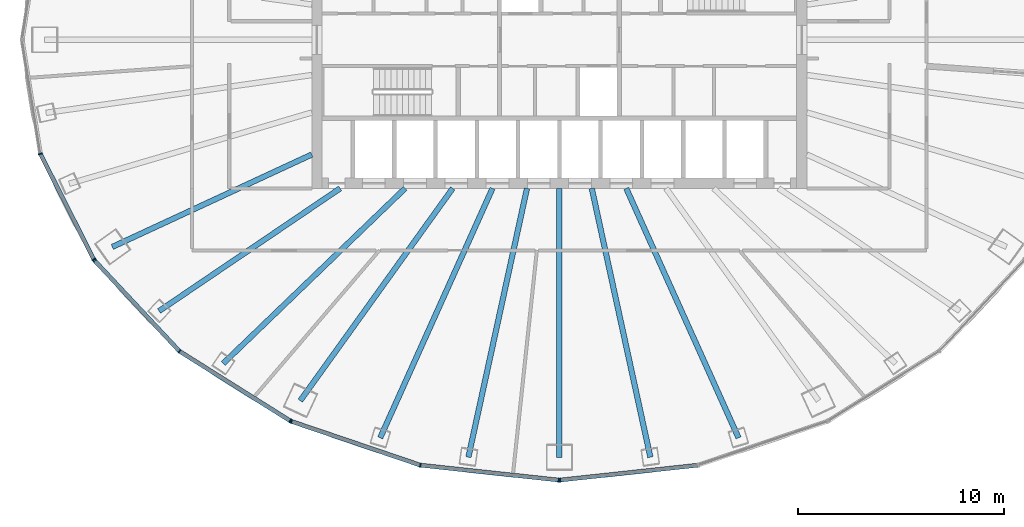
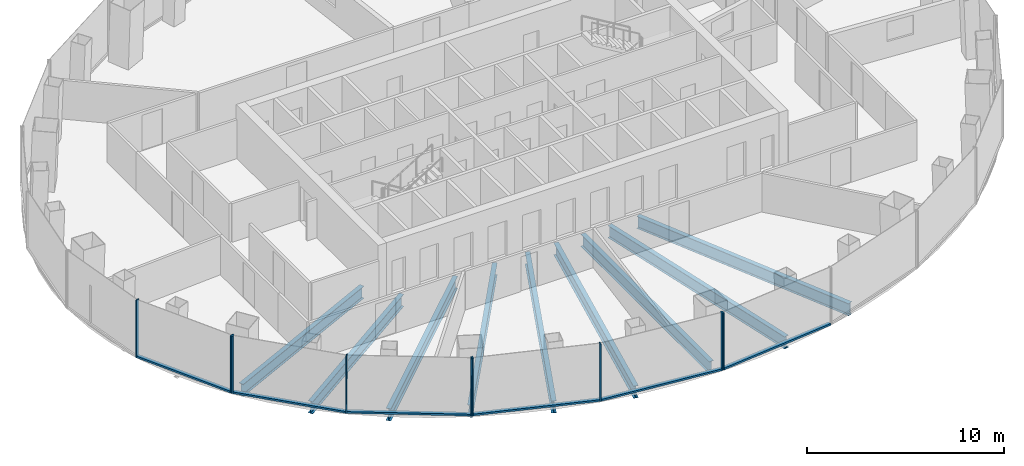
# One storey, part 2 of 12: 15 members, 9 beams, 4 elements without a shape of their own.
"""IFC4 building model written with IfcOpenShell, lengths in metres."""

import ifcopenshell
import ifcopenshell.guid

model = None  # the IFC model being written
_history = None  # IfcOwnerHistory: only IFC2X3 demands one
_inside = {}  # id of a spatial element -> (the spatial element, [elements in it])
_under = {}  # id of a project, library or spatial element -> (it, [spatial elements below it])
_declared = {}  # id of a project -> (the project, [libraries it declares])
_typed = {}  # id of a type object -> (the type object, [elements of that type])
_made_of = {}  # id of a material, layer set ... -> (it, [elements and type objects made of it])


def new_model(schema):
    """Start an empty IFC model of exactly this schema.

    Asked for "IFC4X3", IfcOpenShell would pick the latest addendum, in which some entities
    have other attributes; the version numbers below select the first issue.
    IFC2X3 requires an IfcOwnerHistory on every rooted entity: one is made here for all.
    """
    global model, _history
    if schema == "IFC4X3":
        model = ifcopenshell.file(schema_version=(4, 3, 0, 0))
    else:
        model = ifcopenshell.file(schema=schema)
    _inside.clear()
    _under.clear()
    _declared.clear()
    _typed.clear()
    _made_of.clear()
    _history = None
    if model.schema == "IFC2X3":
        org = make("IfcOrganization", Name="unknown")
        user = make(
            "IfcPersonAndOrganization",
            ThePerson=make("IfcPerson", FamilyName="unknown"),
            TheOrganization=org,
        )
        app = make(
            "IfcApplication",
            ApplicationDeveloper=org,
            Version="unknown",
            ApplicationFullName="unknown",
            ApplicationIdentifier="unknown",
        )
        _history = make(
            "IfcOwnerHistory",
            OwningUser=user,
            OwningApplication=app,
            ChangeAction="ADDED",
            CreationDate=0,
        )
    return model


def make(cls, **values):
    """One entity of the class cls with the attributes given. An attribute that is None is left unset."""
    return model.create_entity(
        cls, **{name: value for name, value in values.items() if value is not None}
    )


def rooted(cls, **values):
    """An entity with a GlobalId (a new one), such as an element, a storey or a relation."""
    return make(cls, GlobalId=ifcopenshell.guid.new(), OwnerHistory=_history, **values)


def si_unit(unit_type, name, prefix=None):
    """IfcSIUnit, for example si_unit("LENGTHUNIT", "METRE", prefix="MILLI")."""
    return make("IfcSIUnit", UnitType=unit_type, Prefix=prefix, Name=name)


def assignment(units):
    """IfcUnitAssignment: the units of a project."""
    return None if units is None else make("IfcUnitAssignment", Units=units)


def point(xyz):
    """IfcCartesianPoint."""
    return None if xyz is None else make("IfcCartesianPoint", Coordinates=xyz)


def direction(xyz):
    """IfcDirection."""
    return None if xyz is None else make("IfcDirection", DirectionRatios=xyz)


def frame(location, z_axis=None, x_axis=None):
    """IfcAxis2Placement3D, a coordinate frame: its origin and axes. An axis left out is left unset."""
    return make(
        "IfcAxis2Placement3D",
        Location=point(location),
        Axis=direction(z_axis),
        RefDirection=direction(x_axis),
    )


def frame_2d(location, x_axis=None):
    """IfcAxis2Placement2D, a coordinate frame in the plane: its origin and x axis."""
    return make(
        "IfcAxis2Placement2D", Location=point(location), RefDirection=direction(x_axis)
    )


def origin():
    """The frame at (0, 0, 0) with its axes left unset."""
    return frame((0.0, 0.0, 0.0))


def origin_2d():
    """The frame at (0, 0) in the plane with its x axis left unset."""
    return frame_2d((0.0, 0.0))


def place(relative_to, where):
    """IfcLocalPlacement: puts the frame where relative to a parent placement (None: the world)."""
    return make(
        "IfcLocalPlacement", PlacementRelTo=relative_to, RelativePlacement=where
    )


def context(
    kind, dimensions, precision=None, world=None, true_north=None, identifier=None
):
    """IfcGeometricRepresentationContext, for example the 3D "Model" context."""
    return make(
        "IfcGeometricRepresentationContext",
        ContextIdentifier=identifier,
        ContextType=kind,
        CoordinateSpaceDimension=dimensions,
        Precision=precision,
        WorldCoordinateSystem=world,
        TrueNorth=true_north,
    )


def subcontext(parent, identifier, kind, view, scale=None):
    """IfcGeometricRepresentationSubContext, for example "Body" below "Model"."""
    return make(
        "IfcGeometricRepresentationSubContext",
        ContextIdentifier=identifier,
        ContextType=kind,
        ParentContext=parent,
        TargetScale=scale,
        TargetView=view,
    )


def project(units=None, contexts=None):
    """IfcProject with its units and contexts."""
    return rooted(
        "IfcProject",
        Name="project",
        RepresentationContexts=contexts,
        UnitsInContext=assignment(units),
    )


def spatial(cls, under=None, at=None, **own):
    """A site, building, storey or space (cls), placed at a placement, below another one or the project."""
    s = rooted(cls, ObjectPlacement=at, **own)
    if under is not None:
        _under.setdefault(under.id(), (under, []))[1].append(s)
    return s


def profile(cls, at=None, kind="AREA", **sizes):
    """A parametric profile (cls). Its sizes go by their IFC names, for example OverallWidth=200.0."""
    return make(cls, ProfileType=kind, Position=at, **sizes)


def rectangle(**sizes):
    """IfcRectangleProfileDef."""
    return profile("IfcRectangleProfileDef", **sizes)


def i_section(**sizes):
    """IfcIShapeProfileDef."""
    return profile("IfcIShapeProfileDef", **sizes)


def extrude(swept, where, along, depth):
    """IfcExtrudedAreaSolid: the profile swept, set in the frame where, extruded along a direction by depth."""
    return make(
        "IfcExtrudedAreaSolid",
        SweptArea=swept,
        Position=where,
        ExtrudedDirection=direction(along),
        Depth=depth,
    )


def shape(context_of_items, identifier, shape_type, items):
    """IfcShapeRepresentation: the items that make up one representation, for example the "Body"."""
    return make(
        "IfcShapeRepresentation",
        ContextOfItems=context_of_items,
        RepresentationIdentifier=identifier,
        RepresentationType=shape_type,
        Items=items,
    )


def material(Name=None, Category=None):
    """IfcMaterial."""
    return make("IfcMaterial", Name=Name, Category=Category)


def layer(
    of_material, thickness, ventilated=None, Name=None, Category=None, Priority=None
):
    """IfcMaterialLayer: one layer of a wall or slab, of a material (None: an air gap)."""
    return make(
        "IfcMaterialLayer",
        Material=of_material,
        LayerThickness=thickness,
        IsVentilated=ventilated,
        Name=Name,
        Category=Category,
        Priority=Priority,
    )


def layer_set(layers, Name=None):
    """IfcMaterialLayerSet."""
    return make("IfcMaterialLayerSet", MaterialLayers=layers, LayerSetName=Name)


def material_profile(
    of_material, cross_section, Name=None, Category=None, Priority=None
):
    """IfcMaterialProfile: a cross section and its material."""
    return make(
        "IfcMaterialProfile",
        Name=Name,
        Material=of_material,
        Profile=cross_section,
        Priority=Priority,
        Category=Category,
    )


def profile_set(profiles, Name=None, composite=None):
    """IfcMaterialProfileSet."""
    return make(
        "IfcMaterialProfileSet",
        Name=Name,
        MaterialProfiles=profiles,
        CompositeProfile=composite,
    )


def made_of(thing, what):
    """Note that an element or type object is made of a material, layer set ...; save() writes the relation."""
    if what is not None:
        _made_of.setdefault(what.id(), (what, []))[1].append(thing)
    return thing


def type_object(cls, material=None, **own):
    """A type object (cls), such as IfcWallType, which elements share."""
    return made_of(rooted(cls, **own), material)


def element(
    cls,
    number,
    at=None,
    inside=None,
    cuts=None,
    type_object=None,
    material=None,
    context=None,
    identifier="Body",
    shape_type=None,
    held_by="IfcProductDefinitionShape",
    body=None,
    shapes=None,
    **own,
):
    """One element of the class cls, such as IfcWall. Its Tag is "e" and its number.

    at: its placement. inside: the storey or other place that contains it. cuts: it is an
    opening in that element (IfcRelVoidsElement). A single representation is given by context,
    identifier, shape_type and body (its items); several are given by shapes. held_by: the class
    of the entity that holds the representations. save() writes the other relations.
    """
    e = rooted(cls, Tag="e%d" % number, ObjectPlacement=at, **own)
    if body is not None:
        shapes = [shape(context, identifier, shape_type, body)]
    if shapes is not None:
        e.Representation = make(held_by, Representations=shapes)
    if inside is not None:
        _inside.setdefault(inside.id(), (inside, []))[1].append(e)
    if cuts is not None:
        rooted(
            "IfcRelVoidsElement", RelatingBuildingElement=cuts, RelatedOpeningElement=e
        )
    if type_object is not None:
        _typed.setdefault(type_object.id(), (type_object, []))[1].append(e)
    return made_of(e, material)


def aggregate(whole, parts):
    """IfcRelAggregates: a whole, such as a stair, and the parts it consists of."""
    return rooted("IfcRelAggregates", RelatingObject=whole, RelatedObjects=parts)


def save(model, path):
    """Write the relations noted so far, then the file.

    IfcRelAggregates (storeys below a building ...), IfcRelContainedInSpatialStructure (elements
    in a storey), IfcRelDefinesByType, IfcRelAssociatesMaterial and IfcRelDeclares: one each for
    every whole, place, type object, material and project.
    """
    for whole, parts in _under.values():
        aggregate(whole, parts)
    for where, things in _inside.values():
        rooted(
            "IfcRelContainedInSpatialStructure",
            RelatedElements=things,
            RelatingStructure=where,
        )
    for kind, things in _typed.values():
        rooted("IfcRelDefinesByType", RelatedObjects=things, RelatingType=kind)
    for what, things in _made_of.values():
        rooted("IfcRelAssociatesMaterial", RelatedObjects=things, RelatingMaterial=what)
    for by, libraries in _declared.values():
        rooted("IfcRelDeclares", RelatingContext=by, RelatedDefinitions=libraries)
    model.write(path)


model = new_model("IFC4")

# Units and contexts
model_context = context("Model", 3, precision=1e-05, world=origin(), true_north=direction((0.0, 1.0)))
body_context = subcontext(model_context, "Body", "Model", "MODEL_VIEW")
ifc_project = project(units=[si_unit("LENGTHUNIT", "METRE"), si_unit("AREAUNIT", "SQUARE_METRE"), si_unit("VOLUMEUNIT", "CUBIC_METRE"), si_unit("PLANEANGLEUNIT", "RADIAN"), si_unit("MASSUNIT", "GRAM", prefix="KILO")], contexts=[model_context])

# Site, building, storey
site_placement = place(None, origin())
site = spatial("IfcSite", under=ifc_project, at=site_placement, CompositionType="ELEMENT")
building_placement = place(site_placement, origin())
building = spatial("IfcBuilding", under=site, at=building_placement, Name="Siaravel Broadcast Tower", CompositionType="ELEMENT")
storey_placement = place(building_placement, frame((0.0, 0.0, 100.800048828125)))
storey = spatial("IfcBuildingStorey", under=building, at=storey_placement, Name="L23", CompositionType="ELEMENT", Elevation=100.800048828125)

# Beams
ifc_material_1 = material(Name="Steel S355", Category="steel")
ifc_material_profile_1 = material_profile(ifc_material_1, i_section(OverallWidth=0.26513671875, OverallDepth=0.75390625, WebThickness=0.0126953125, FlangeThickness=0.017578125, FilletRadius=0.0166015625, at=origin_2d()))
ifc_profile_set_1 = profile_set([ifc_material_profile_1], Name="Steel S355")
beam_type = type_object("IfcBeamType", Name="BM-UB 762x267x147", PredefinedType="BEAM", material=ifc_profile_set_1)
beam_1_placement = place(storey_placement, frame((-21.663818359375, -10.03662109375, -0.527099609375), z_axis=(0.907348568, 0.420379087, 0.0), x_axis=(-0.420379087, 0.907348568, 0.0)))
element("IfcBeam", 1, at=beam_1_placement, inside=storey, type_object=beam_type, Name="Radial beam RB22", PredefinedType="BEAM", context=body_context, shape_type="SweptSolid", body=[
    extrude(i_section(OverallWidth=0.26513671875, OverallDepth=0.75390625, WebThickness=0.0126953125, FlangeThickness=0.017578125, FilletRadius=0.0166015625, at=origin_2d()), origin(), (0.0, 0.0, 1.0), 10.650634765625),
])
beam_2_placement = place(storey_placement, frame((-19.3994140625, -13.14501953125, -0.527099609375), z_axis=(0.827855543, 0.560941352, 0.0), x_axis=(-0.560941352, 0.827855543, 0.0)))
element("IfcBeam", 2, at=beam_2_placement, inside=storey, type_object=beam_type, Name="Radial beam RB23", PredefinedType="BEAM", context=body_context, shape_type="SweptSolid", body=[
    extrude(i_section(OverallWidth=0.26513671875, OverallDepth=0.75390625, WebThickness=0.0126953125, FlangeThickness=0.017578125, FilletRadius=0.0166015625, at=origin_2d()), origin(), (0.0, 0.0, 1.0), 10.598388671875),
])
beam_3_placement = place(storey_placement, frame((-16.293701171875, -15.688720703125, -0.527099609375), z_axis=(0.720346054, 0.693614852, 0.0), x_axis=(-0.693614852, 0.720346054, 0.0)))
element("IfcBeam", 3, at=beam_3_placement, inside=storey, type_object=beam_type, Name="Radial beam RB24", PredefinedType="BEAM", context=body_context, shape_type="SweptSolid", body=[
    extrude(i_section(OverallWidth=0.26513671875, OverallDepth=0.75390625, WebThickness=0.0126953125, FlangeThickness=0.017578125, FilletRadius=0.0166015625, at=origin_2d()), origin(), (0.0, 0.0, 1.0), 12.238525390625),
])
beam_4_placement = place(storey_placement, frame((-12.556396484375, -17.4873046875, -0.527099609375), z_axis=(0.583242335, 0.812298208, 0.0), x_axis=(-0.812298208, 0.583242335, 0.0)))
element("IfcBeam", 4, at=beam_4_placement, inside=storey, type_object=beam_type, Name="Radial beam RB25", PredefinedType="BEAM", context=body_context, shape_type="SweptSolid", body=[
    extrude(i_section(OverallWidth=0.26513671875, OverallDepth=0.75390625, WebThickness=0.0126953125, FlangeThickness=0.017578125, FilletRadius=0.0166015625, at=origin_2d()), origin(), (0.0, 0.0, 1.0), 12.66455078125),
])
beam_5_placement = place(storey_placement, frame((-8.682373046875, -19.287109375, -0.527099609375), z_axis=(0.410486441, 0.911866702, 0.0), x_axis=(-0.911866702, 0.410486441, 0.0)))
element("IfcBeam", 5, at=beam_5_placement, inside=storey, type_object=beam_type, Name="Radial beam RB26", PredefinedType="BEAM", context=body_context, shape_type="SweptSolid", body=[
    extrude(i_section(OverallWidth=0.26513671875, OverallDepth=0.75390625, WebThickness=0.0126953125, FlangeThickness=0.017578125, FilletRadius=0.0166015625, at=origin_2d()), origin(), (0.0, 0.0, 1.0), 13.25537109375),
])
beam_6_placement = place(storey_placement, frame((-4.409912109375, -20.224853515625, -0.527099609375), z_axis=(0.213044702, 0.977042453, 0.0), x_axis=(-0.977042453, 0.213044702, 0.0)))
element("IfcBeam", 6, at=beam_6_placement, inside=storey, type_object=beam_type, Name="Radial beam RB27", PredefinedType="BEAM", context=body_context, shape_type="SweptSolid", body=[
    extrude(i_section(OverallWidth=0.26513671875, OverallDepth=0.75390625, WebThickness=0.0126953125, FlangeThickness=0.017578125, FilletRadius=0.0166015625, at=origin_2d()), origin(), (0.0, 0.0, 1.0), 13.3310546875),
])
beam_7_placement = place(storey_placement, frame((0.0, -20.24072265625, -0.527099609375), z_axis=(0.0, 1.0, 0.0), x_axis=(-1.0, 0.0, 0.0)))
element("IfcBeam", 7, at=beam_7_placement, inside=storey, type_object=beam_type, Name="Radial beam RB28", PredefinedType="BEAM", context=body_context, shape_type="SweptSolid", body=[
    extrude(i_section(OverallWidth=0.26513671875, OverallDepth=0.75390625, WebThickness=0.0126953125, FlangeThickness=0.017578125, FilletRadius=0.0166015625, at=origin_2d()), origin(), (0.0, 0.0, 1.0), 13.040771484375),
])
beam_8_placement = place(storey_placement, frame((4.409912109375, -20.224853515625, -0.527099609375), z_axis=(-0.213044702, 0.977042453, 0.0), x_axis=(-0.977042453, -0.213044702, 0.0)))
element("IfcBeam", 8, at=beam_8_placement, inside=storey, type_object=beam_type, Name="Radial beam RB29", PredefinedType="BEAM", context=body_context, shape_type="SweptSolid", body=[
    extrude(i_section(OverallWidth=0.26513671875, OverallDepth=0.75390625, WebThickness=0.0126953125, FlangeThickness=0.017578125, FilletRadius=0.0166015625, at=origin_2d()), origin(), (0.0, 0.0, 1.0), 13.3310546875),
])
beam_9_placement = place(storey_placement, frame((8.682373046875, -19.287109375, -0.527099609375), z_axis=(-0.410486441, 0.911866702, 0.0), x_axis=(-0.911866702, -0.410486441, 0.0)))
element("IfcBeam", 9, at=beam_9_placement, inside=storey, type_object=beam_type, Name="Radial beam RB30", PredefinedType="BEAM", context=body_context, shape_type="SweptSolid", body=[
    extrude(i_section(OverallWidth=0.26513671875, OverallDepth=0.75390625, WebThickness=0.0126953125, FlangeThickness=0.017578125, FilletRadius=0.0166015625, at=origin_2d()), origin(), (0.0, 0.0, 1.0), 13.25537109375),
])

# Curtain wall, members
ifc_material_2 = material(Name="Aluminium 6063-T6", Category="aluminium")
ifc_layer = layer(ifc_material_2, 0.199951171875)
ifc_layer_set = layer_set([ifc_layer], Name="Aluminium 6063-T6")
curtain_wall_type = type_object("IfcCurtainWallType", Name="Unitised curtain wall, zone 2", PredefinedType="NOTDEFINED", material=ifc_layer_set)
curtain_wall_1_placement = place(storey_placement, origin())
curtain_wall_1 = element("IfcCurtainWall", 10, at=curtain_wall_1_placement, inside=storey, type_object=curtain_wall_type, Name="L23 Unitised curtain wall, zone 2 07", PredefinedType="NOTDEFINED")
ifc_material_profile_2 = material_profile(ifc_material_2, rectangle(XDim=0.199951171875, YDim=0.06494140625, at=origin_2d()))
ifc_profile_set_2 = profile_set([ifc_material_profile_2], Name="Aluminium 6063-T6")
member_type_1 = type_object("IfcMemberType", Name="CW-Z2 mullion", PredefinedType="MULLION", material=ifc_profile_set_2)
member_1_placement = place(storey_placement, frame((-25.151611328125, -5.525390625, 0.0), z_axis=(0.0, 0.0, 1.0), x_axis=(0.951177085, 0.308645676, 0.0)))
member_1 = element("IfcMember", 11, at=member_1_placement, type_object=member_type_1, Name="CW-Z2 mullion 2", PredefinedType="MULLION", context=body_context, shape_type="SweptSolid", body=[
    extrude(rectangle(XDim=0.199951171875, YDim=0.06494140625, at=origin_2d()), origin(), (0.0, 0.0, 1.0), 3.550048828125),
])
member_2_placement = place(storey_placement, frame((-22.56298828125, -10.64404296875, 0.0), z_axis=(0.0, 0.0, 1.0), x_axis=(0.892391822, 0.451261384, 0.0)))
member_2 = element("IfcMember", 12, at=member_2_placement, type_object=member_type_1, Name="CW-Z2 mullion 3", PredefinedType="MULLION", context=body_context, shape_type="SweptSolid", body=[
    extrude(rectangle(XDim=0.199951171875, YDim=0.06494140625, at=origin_2d()), origin(), (0.0, 0.0, 1.0), 3.550048828125),
])

curtain_wall_2_placement = place(storey_placement, origin())
curtain_wall_2 = element("IfcCurtainWall", 13, at=curtain_wall_2_placement, inside=storey, type_object=curtain_wall_type, Name="L23 Unitised curtain wall, zone 2 08", PredefinedType="NOTDEFINED")
member_3_placement = place(storey_placement, frame((-22.526123046875, -10.69677734375, 0.0), z_axis=(0.0, 0.0, 1.0), x_axis=(0.729804854, 0.683655524, 0.0)))
member_3 = element("IfcMember", 14, at=member_3_placement, type_object=member_type_1, Name="CW-Z2 mullion 1", PredefinedType="MULLION", context=body_context, shape_type="SweptSolid", body=[
    extrude(rectangle(XDim=0.199951171875, YDim=0.06494140625, at=origin_2d()), origin(), (0.0, 0.0, 1.0), 3.550048828125),
])
member_4_placement = place(storey_placement, frame((-18.408935546875, -15.091796875, 0.0), z_axis=(0.0, 0.0, 1.0), x_axis=(0.636218267, 0.771509117, 0.0)))
member_4 = element("IfcMember", 15, at=member_4_placement, type_object=member_type_1, Name="CW-Z2 mullion 2", PredefinedType="MULLION", context=body_context, shape_type="SweptSolid", body=[
    extrude(rectangle(XDim=0.199951171875, YDim=0.06494140625, at=origin_2d()), origin(), (0.0, 0.0, 1.0), 3.550048828125),
])
member_5_placement = place(storey_placement, frame((-13.043701171875, -18.464111328125, 0.0), z_axis=(0.0, 0.0, 1.0), x_axis=(0.5321489, 0.846650783, 0.0)))
member_5 = element("IfcMember", 16, at=member_5_placement, type_object=member_type_1, Name="CW-Z2 mullion 3", PredefinedType="MULLION", context=body_context, shape_type="SweptSolid", body=[
    extrude(rectangle(XDim=0.199951171875, YDim=0.06494140625, at=origin_2d()), origin(), (0.0, 0.0, 1.0), 3.550048828125),
])

curtain_wall_3_placement = place(storey_placement, origin())
curtain_wall_3 = element("IfcCurtainWall", 17, at=curtain_wall_3_placement, inside=storey, type_object=curtain_wall_type, Name="L23 Unitised curtain wall, zone 2 09", PredefinedType="NOTDEFINED")
member_6_placement = place(storey_placement, frame((-12.9853515625, -18.491943359375, 0.0), z_axis=(0.0, 0.0, 1.0), x_axis=(0.321300433, 0.946977313, 0.0)))
member_6 = element("IfcMember", 18, at=member_6_placement, type_object=member_type_1, Name="CW-Z2 mullion 1", PredefinedType="MULLION", context=body_context, shape_type="SweptSolid", body=[
    extrude(rectangle(XDim=0.199951171875, YDim=0.06494140625, at=origin_2d()), origin(), (0.0, 0.0, 1.0), 3.550048828125),
])
member_7_placement = place(storey_placement, frame((-6.7373046875, -20.61181640625, 0.0), z_axis=(0.0, 0.0, 1.0), x_axis=(0.215557941, 0.976491052, 0.0)))
member_7 = element("IfcMember", 19, at=member_7_placement, type_object=member_type_1, Name="CW-Z2 mullion 2", PredefinedType="MULLION", context=body_context, shape_type="SweptSolid", body=[
    extrude(rectangle(XDim=0.199951171875, YDim=0.06494140625, at=origin_2d()), origin(), (0.0, 0.0, 1.0), 3.550048828125),
])
member_8_placement = place(storey_placement, frame((-0.0322265625, -21.334716796875, 0.0), z_axis=(0.0, 0.0, 1.0), x_axis=(0.107217428, 0.994235597, 0.0)))
member_8 = element("IfcMember", 20, at=member_8_placement, type_object=member_type_1, Name="CW-Z2 mullion 3", PredefinedType="MULLION", context=body_context, shape_type="SweptSolid", body=[
    extrude(rectangle(XDim=0.199951171875, YDim=0.06494140625, at=origin_2d()), origin(), (0.0, 0.0, 1.0), 3.550048828125),
])

# Curtain wall, member
curtain_wall_4_placement = place(storey_placement, origin())
curtain_wall_4 = element("IfcCurtainWall", 21, at=curtain_wall_4_placement, inside=storey, type_object=curtain_wall_type, Name="L23 Unitised curtain wall, zone 2 10", PredefinedType="NOTDEFINED")
member_9_placement = place(storey_placement, frame((0.0322265625, -21.334716796875, 0.0), z_axis=(0.0, 0.0, 1.0), x_axis=(-0.107217428, 0.994235597, 0.0)))
member_9 = element("IfcMember", 22, at=member_9_placement, type_object=member_type_1, Name="CW-Z2 mullion 1", PredefinedType="MULLION", context=body_context, shape_type="SweptSolid", body=[
    extrude(rectangle(XDim=0.199951171875, YDim=0.06494140625, at=origin_2d()), origin(), (0.0, 0.0, 1.0), 3.550048828125),
])

# Member
ifc_material_profile_3 = material_profile(ifc_material_2, rectangle(XDim=0.199951171875, YDim=0.110107421875, at=origin_2d()))
ifc_profile_set_3 = profile_set([ifc_material_profile_3], Name="Aluminium 6063-T6")
member_type_2 = type_object("IfcMemberType", Name="CW-Z2 transom", PredefinedType="USERDEFINED", material=ifc_profile_set_3)
member_10_placement = place(storey_placement, frame((-25.13671875, -5.554443359375, 0.054931640625), z_axis=(0.45123882, -0.892403231, 0.0), x_axis=(0.892403231, 0.45123882, 0.0)))
member_10 = element("IfcMember", 23, at=member_10_placement, type_object=member_type_2, Name="CW-Z2 transom 2", ObjectType="TRANSOM", PredefinedType="USERDEFINED", context=body_context, shape_type="SweptSolid", body=[
    extrude(rectangle(XDim=0.199951171875, YDim=0.110107421875, at=origin_2d()), origin(), (0.0, 0.0, 1.0), 5.670654296875),
])

aggregate(curtain_wall_1, [member_1, member_2, member_10])

member_11_placement = place(storey_placement, frame((-22.50390625, -10.720458984375, 0.054931640625), z_axis=(0.6836357, -0.729823424, 0.0), x_axis=(0.729823424, 0.6836357, 0.0)))
member_11 = element("IfcMember", 24, at=member_11_placement, type_object=member_type_2, Name="CW-Z2 transom 1", ObjectType="TRANSOM", PredefinedType="USERDEFINED", context=body_context, shape_type="SweptSolid", body=[
    extrude(rectangle(XDim=0.199951171875, YDim=0.110107421875, at=origin_2d()), origin(), (0.0, 0.0, 1.0), 5.95703125),
])

member_12_placement = place(storey_placement, frame((-18.381591796875, -15.109130859375, 0.054931640625), z_axis=(0.846655089, -0.532142049, 0.0), x_axis=(0.532142049, 0.846655089, 0.0)))
member_12 = element("IfcMember", 25, at=member_12_placement, type_object=member_type_2, Name="CW-Z2 transom 2", ObjectType="TRANSOM", PredefinedType="USERDEFINED", context=body_context, shape_type="SweptSolid", body=[
    extrude(rectangle(XDim=0.199951171875, YDim=0.110107421875, at=origin_2d()), origin(), (0.0, 0.0, 1.0), 6.272216796875),
])

aggregate(curtain_wall_2, [member_3, member_4, member_5, member_11, member_12])

member_13_placement = place(storey_placement, frame((-12.95458984375, -18.502197265625, 0.054931640625), z_axis=(0.946973015, -0.321313101, 0.0), x_axis=(0.321313101, 0.946973015, 0.0)))
member_13 = element("IfcMember", 26, at=member_13_placement, type_object=member_type_2, Name="CW-Z2 transom 1", ObjectType="TRANSOM", PredefinedType="USERDEFINED", context=body_context, shape_type="SweptSolid", body=[
    extrude(rectangle(XDim=0.199951171875, YDim=0.110107421875, at=origin_2d()), origin(), (0.0, 0.0, 1.0), 6.532958984375),
])

member_14_placement = place(storey_placement, frame((-6.705078125, -20.615234375, 0.054931640625), z_axis=(0.994236043, -0.107213291, 0.0), x_axis=(0.107213291, 0.994236043, 0.0)))
member_14 = element("IfcMember", 27, at=member_14_placement, type_object=member_type_2, Name="CW-Z2 transom 2", ObjectType="TRANSOM", PredefinedType="USERDEFINED", context=body_context, shape_type="SweptSolid", body=[
    extrude(rectangle(XDim=0.199951171875, YDim=0.110107421875, at=origin_2d()), origin(), (0.0, 0.0, 1.0), 6.678955078125),
])

aggregate(curtain_wall_3, [member_6, member_7, member_8, member_13, member_14])

member_15_placement = place(storey_placement, frame((0.064697265625, -21.331298828125, 0.054931640625), z_axis=(0.994236043, 0.107213291, 0.0), x_axis=(-0.107213291, 0.994236043, 0.0)))
member_15 = element("IfcMember", 28, at=member_15_placement, type_object=member_type_2, Name="CW-Z2 transom 1", ObjectType="TRANSOM", PredefinedType="USERDEFINED", context=body_context, shape_type="SweptSolid", body=[
    extrude(rectangle(XDim=0.199951171875, YDim=0.110107421875, at=origin_2d()), origin(), (0.0, 0.0, 1.0), 6.678955078125),
])

aggregate(curtain_wall_4, [member_9, member_15])

save(model, "model.ifc")
